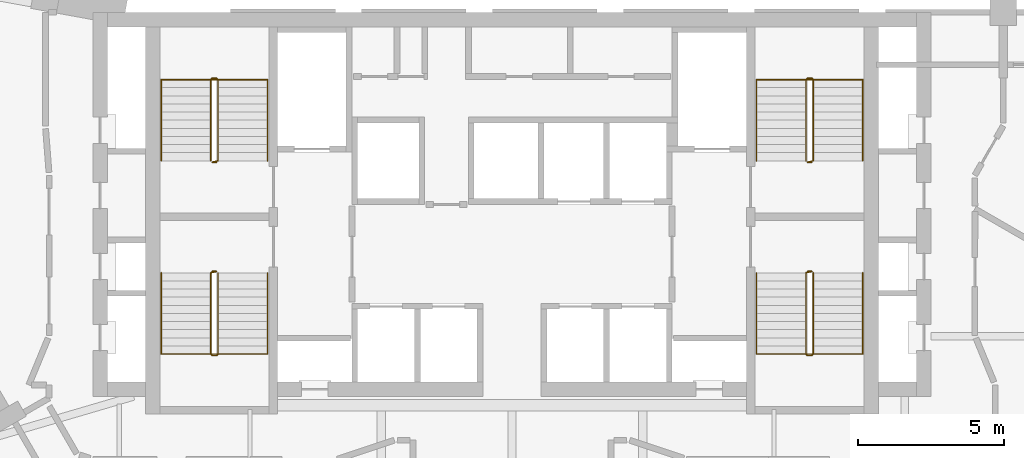
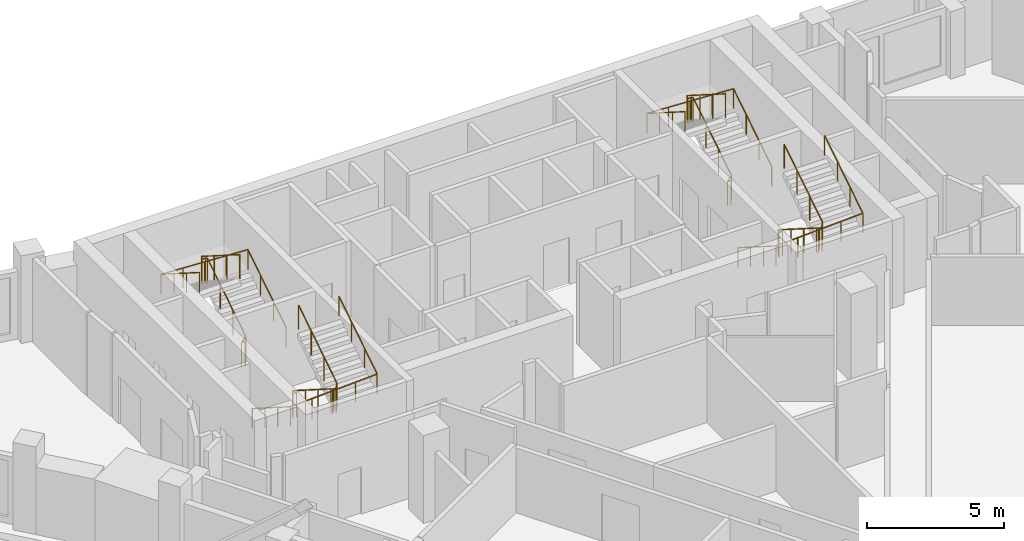
# One storey, part 9 of 9: 8 railings.
"""IFC4 building model written with IfcOpenShell, lengths in metres."""

import ifcopenshell
import ifcopenshell.guid

model = None  # the IFC model being written
_history = None  # IfcOwnerHistory: only IFC2X3 demands one
_inside = {}  # id of a spatial element -> (the spatial element, [elements in it])
_under = {}  # id of a project, library or spatial element -> (it, [spatial elements below it])
_declared = {}  # id of a project -> (the project, [libraries it declares])
_typed = {}  # id of a type object -> (the type object, [elements of that type])
_made_of = {}  # id of a material, layer set ... -> (it, [elements and type objects made of it])


def new_model(schema):
    """Start an empty IFC model of exactly this schema.

    Asked for "IFC4X3", IfcOpenShell would pick the latest addendum, in which some entities
    have other attributes; the version numbers below select the first issue.
    IFC2X3 requires an IfcOwnerHistory on every rooted entity: one is made here for all.
    """
    global model, _history
    if schema == "IFC4X3":
        model = ifcopenshell.file(schema_version=(4, 3, 0, 0))
    else:
        model = ifcopenshell.file(schema=schema)
    _inside.clear()
    _under.clear()
    _declared.clear()
    _typed.clear()
    _made_of.clear()
    _history = None
    if model.schema == "IFC2X3":
        org = make("IfcOrganization", Name="unknown")
        user = make(
            "IfcPersonAndOrganization",
            ThePerson=make("IfcPerson", FamilyName="unknown"),
            TheOrganization=org,
        )
        app = make(
            "IfcApplication",
            ApplicationDeveloper=org,
            Version="unknown",
            ApplicationFullName="unknown",
            ApplicationIdentifier="unknown",
        )
        _history = make(
            "IfcOwnerHistory",
            OwningUser=user,
            OwningApplication=app,
            ChangeAction="ADDED",
            CreationDate=0,
        )
    return model


def make(cls, **values):
    """One entity of the class cls with the attributes given. An attribute that is None is left unset."""
    return model.create_entity(
        cls, **{name: value for name, value in values.items() if value is not None}
    )


def rooted(cls, **values):
    """An entity with a GlobalId (a new one), such as an element, a storey or a relation."""
    return make(cls, GlobalId=ifcopenshell.guid.new(), OwnerHistory=_history, **values)


def si_unit(unit_type, name, prefix=None):
    """IfcSIUnit, for example si_unit("LENGTHUNIT", "METRE", prefix="MILLI")."""
    return make("IfcSIUnit", UnitType=unit_type, Prefix=prefix, Name=name)


def assignment(units):
    """IfcUnitAssignment: the units of a project."""
    return None if units is None else make("IfcUnitAssignment", Units=units)


def point(xyz):
    """IfcCartesianPoint."""
    return None if xyz is None else make("IfcCartesianPoint", Coordinates=xyz)


def direction(xyz):
    """IfcDirection."""
    return None if xyz is None else make("IfcDirection", DirectionRatios=xyz)


def frame(location, z_axis=None, x_axis=None):
    """IfcAxis2Placement3D, a coordinate frame: its origin and axes. An axis left out is left unset."""
    return make(
        "IfcAxis2Placement3D",
        Location=point(location),
        Axis=direction(z_axis),
        RefDirection=direction(x_axis),
    )


def frame_2d(location, x_axis=None):
    """IfcAxis2Placement2D, a coordinate frame in the plane: its origin and x axis."""
    return make(
        "IfcAxis2Placement2D", Location=point(location), RefDirection=direction(x_axis)
    )


def origin():
    """The frame at (0, 0, 0) with its axes left unset."""
    return frame((0.0, 0.0, 0.0))


def origin_2d():
    """The frame at (0, 0) in the plane with its x axis left unset."""
    return frame_2d((0.0, 0.0))


def place(relative_to, where):
    """IfcLocalPlacement: puts the frame where relative to a parent placement (None: the world)."""
    return make(
        "IfcLocalPlacement", PlacementRelTo=relative_to, RelativePlacement=where
    )


def context(
    kind, dimensions, precision=None, world=None, true_north=None, identifier=None
):
    """IfcGeometricRepresentationContext, for example the 3D "Model" context."""
    return make(
        "IfcGeometricRepresentationContext",
        ContextIdentifier=identifier,
        ContextType=kind,
        CoordinateSpaceDimension=dimensions,
        Precision=precision,
        WorldCoordinateSystem=world,
        TrueNorth=true_north,
    )


def subcontext(parent, identifier, kind, view, scale=None):
    """IfcGeometricRepresentationSubContext, for example "Body" below "Model"."""
    return make(
        "IfcGeometricRepresentationSubContext",
        ContextIdentifier=identifier,
        ContextType=kind,
        ParentContext=parent,
        TargetScale=scale,
        TargetView=view,
    )


def project(units=None, contexts=None):
    """IfcProject with its units and contexts."""
    return rooted(
        "IfcProject",
        Name="project",
        RepresentationContexts=contexts,
        UnitsInContext=assignment(units),
    )


def spatial(cls, under=None, at=None, **own):
    """A site, building, storey or space (cls), placed at a placement, below another one or the project."""
    s = rooted(cls, ObjectPlacement=at, **own)
    if under is not None:
        _under.setdefault(under.id(), (under, []))[1].append(s)
    return s


def profile(cls, at=None, kind="AREA", **sizes):
    """A parametric profile (cls). Its sizes go by their IFC names, for example OverallWidth=200.0."""
    return make(cls, ProfileType=kind, Position=at, **sizes)


def circle(**sizes):
    """IfcCircleProfileDef."""
    return profile("IfcCircleProfileDef", **sizes)


def extrude(swept, where, along, depth):
    """IfcExtrudedAreaSolid: the profile swept, set in the frame where, extruded along a direction by depth."""
    return make(
        "IfcExtrudedAreaSolid",
        SweptArea=swept,
        Position=where,
        ExtrudedDirection=direction(along),
        Depth=depth,
    )


def shape(context_of_items, identifier, shape_type, items):
    """IfcShapeRepresentation: the items that make up one representation, for example the "Body"."""
    return make(
        "IfcShapeRepresentation",
        ContextOfItems=context_of_items,
        RepresentationIdentifier=identifier,
        RepresentationType=shape_type,
        Items=items,
    )


def material(Name=None, Category=None):
    """IfcMaterial."""
    return make("IfcMaterial", Name=Name, Category=Category)


def made_of(thing, what):
    """Note that an element or type object is made of a material, layer set ...; save() writes the relation."""
    if what is not None:
        _made_of.setdefault(what.id(), (what, []))[1].append(thing)
    return thing


def type_object(cls, material=None, **own):
    """A type object (cls), such as IfcWallType, which elements share."""
    return made_of(rooted(cls, **own), material)


def element(
    cls,
    number,
    at=None,
    inside=None,
    cuts=None,
    type_object=None,
    material=None,
    context=None,
    identifier="Body",
    shape_type=None,
    held_by="IfcProductDefinitionShape",
    body=None,
    shapes=None,
    **own,
):
    """One element of the class cls, such as IfcWall. Its Tag is "e" and its number.

    at: its placement. inside: the storey or other place that contains it. cuts: it is an
    opening in that element (IfcRelVoidsElement). A single representation is given by context,
    identifier, shape_type and body (its items); several are given by shapes. held_by: the class
    of the entity that holds the representations. save() writes the other relations.
    """
    e = rooted(cls, Tag="e%d" % number, ObjectPlacement=at, **own)
    if body is not None:
        shapes = [shape(context, identifier, shape_type, body)]
    if shapes is not None:
        e.Representation = make(held_by, Representations=shapes)
    if inside is not None:
        _inside.setdefault(inside.id(), (inside, []))[1].append(e)
    if cuts is not None:
        rooted(
            "IfcRelVoidsElement", RelatingBuildingElement=cuts, RelatedOpeningElement=e
        )
    if type_object is not None:
        _typed.setdefault(type_object.id(), (type_object, []))[1].append(e)
    return made_of(e, material)


def aggregate(whole, parts):
    """IfcRelAggregates: a whole, such as a stair, and the parts it consists of."""
    return rooted("IfcRelAggregates", RelatingObject=whole, RelatedObjects=parts)


def save(model, path):
    """Write the relations noted so far, then the file.

    IfcRelAggregates (storeys below a building ...), IfcRelContainedInSpatialStructure (elements
    in a storey), IfcRelDefinesByType, IfcRelAssociatesMaterial and IfcRelDeclares: one each for
    every whole, place, type object, material and project.
    """
    for whole, parts in _under.values():
        aggregate(whole, parts)
    for where, things in _inside.values():
        rooted(
            "IfcRelContainedInSpatialStructure",
            RelatedElements=things,
            RelatingStructure=where,
        )
    for kind, things in _typed.values():
        rooted("IfcRelDefinesByType", RelatedObjects=things, RelatingType=kind)
    for what, things in _made_of.values():
        rooted("IfcRelAssociatesMaterial", RelatedObjects=things, RelatingMaterial=what)
    for by, libraries in _declared.values():
        rooted("IfcRelDeclares", RelatingContext=by, RelatedDefinitions=libraries)
    model.write(path)


model = new_model("IFC4")

# Units and contexts
model_context = context("Model", 3, precision=1e-05, world=origin(), true_north=direction((0.0, 1.0)))
body_context = subcontext(model_context, "Body", "Model", "MODEL_VIEW")
ifc_project = project(units=[si_unit("LENGTHUNIT", "METRE"), si_unit("AREAUNIT", "SQUARE_METRE"), si_unit("VOLUMEUNIT", "CUBIC_METRE"), si_unit("PLANEANGLEUNIT", "RADIAN"), si_unit("MASSUNIT", "GRAM", prefix="KILO")], contexts=[model_context])

# Site, building, storey
site_placement = place(None, origin())
site = spatial("IfcSite", under=ifc_project, at=site_placement, CompositionType="ELEMENT")
building_placement = place(site_placement, origin())
building = spatial("IfcBuilding", under=site, at=building_placement, Name="Calabash Gate Tower", CompositionType="ELEMENT")
storey_placement = place(building_placement, frame((0.0, 0.0, 196.39990234375)))
storey = spatial("IfcBuildingStorey", under=building, at=storey_placement, Name="L46", CompositionType="ELEMENT", Elevation=196.39990234375)

# Railings
ifc_material_1 = material(Name="Black powder-coated steel balusters", Category="steel")
railing_type_1 = type_object("IfcRailingType", Name="Stair guard RL1100", PredefinedType="GUARDRAIL", material=ifc_material_1)
railing_1_placement = place(storey_placement, frame((-10.14990234375, 13.902587890625, 0.0)))
element("IfcRailing", 1, at=railing_1_placement, inside=storey, type_object=railing_type_1, Name="L46 ST1 stair guard 1", PredefinedType="GUARDRAIL", context=body_context, shape_type="SweptSolid", body=[
    extrude(circle(Radius=0.02392578125, at=origin_2d()), frame((0.0, 0.0, 1.076171875), z_axis=(-1.0, 0.0, 0.0), x_axis=(0.0, -1.0, 0.0)), (0.0, 0.0, 1.0), 0.150146484375),
    extrude(circle(Radius=0.02392578125, at=origin_2d()), frame((-0.150146484375, 0.0, 1.076171875), z_axis=(0.735094037398, 0.183997897029, 0.652519371414), x_axis=(-0.242814311512, 0.970072785993, 0.0)), (0.0, 0.0, 1.0), 0.27197265625),
    extrude(circle(Radius=0.02392578125, at=origin_2d()), frame((0.0498046875, 0.050048828125, 1.25341796875), z_axis=(0.0, 0.844041424197, 0.536277982245), x_axis=(-1.0, 0.0, 0.0)), (0.0, 0.0, 1.0), 3.3056640625),
    extrude(circle(Radius=0.02392578125, at=origin_2d()), frame((0.0498046875, 2.840087890625, 3.0263671875), z_axis=(-0.707106781187, 0.707106781187, 0.0), x_axis=(-0.707106781187, -0.707106781187, 0.0)), (0.0, 0.0, 1.0), 0.0703125),
    extrude(circle(Radius=0.02392578125, at=origin_2d()), frame((0.0, 2.889892578125, 3.0263671875), z_axis=(-1.0, 0.0, 0.0), x_axis=(0.0, -1.0, 0.0)), (0.0, 0.0, 1.0), 0.150146484375),
    extrude(circle(Radius=0.02392578125, at=origin_2d()), frame((-0.150146484375, 2.889892578125, 3.0263671875), z_axis=(-0.262321481514, -0.261041864531, 0.929001929653), x_axis=(0.705375805398, -0.708833529934, 0.0)), (0.0, 0.0, 1.0), 0.190673828125),
    extrude(circle(Radius=0.02392578125, at=origin_2d()), frame((-0.2001953125, 2.840087890625, 3.20361328125), z_axis=(0.0, -0.844041424197, 0.536277982245), x_axis=(1.0, 0.0, 0.0)), (0.0, 0.0, 1.0), 3.3056640625),
    extrude(circle(Radius=0.02099609375, at=origin_2d()), origin(), (0.0, 0.0, 1.0), 1.052001953125),
    extrude(circle(Radius=0.02099609375, at=origin_2d()), frame((-0.150146484375, 0.0, 0.0)), (0.0, 0.0, 1.0), 1.052001953125),
    extrude(circle(Radius=0.02099609375, at=origin_2d()), frame((0.0498046875, 0.050048828125, 0.177490234375)), (0.0, 0.0, 1.0), 1.052001953125),
    extrude(circle(Radius=0.02099609375, at=origin_2d()), frame((0.0498046875, 0.97998046875, 0.768310546875)), (0.0, 0.0, 1.0), 1.052001953125),
    extrude(circle(Radius=0.02099609375, at=origin_2d()), frame((0.0498046875, 1.91015625, 1.359375)), (0.0, 0.0, 1.0), 1.052001953125),
    extrude(circle(Radius=0.02099609375, at=origin_2d()), frame((0.0498046875, 2.840087890625, 1.9501953125)), (0.0, 0.0, 1.0), 1.052001953125),
    extrude(circle(Radius=0.02099609375, at=origin_2d()), frame((0.0, 2.889892578125, 1.9501953125)), (0.0, 0.0, 1.0), 1.052001953125),
    extrude(circle(Radius=0.02099609375, at=origin_2d()), frame((-0.150146484375, 2.889892578125, 1.9501953125)), (0.0, 0.0, 1.0), 1.052001953125),
    extrude(circle(Radius=0.02099609375, at=origin_2d()), frame((-0.2001953125, 2.840087890625, 2.12744140625)), (0.0, 0.0, 1.0), 1.052001953125),
    extrude(circle(Radius=0.02099609375, at=origin_2d()), frame((-0.2001953125, 1.91015625, 2.71826171875)), (0.0, 0.0, 1.0), 1.052001953125),
    extrude(circle(Radius=0.02099609375, at=origin_2d()), frame((-0.2001953125, 0.97998046875, 3.309326171875)), (0.0, 0.0, 1.0), 1.052001953125),
    extrude(circle(Radius=0.02099609375, at=origin_2d()), frame((-0.2001953125, 0.050048828125, 3.900146484375)), (0.0, 0.0, 1.0), 1.052001953125),
])
railing_2_placement = place(storey_placement, frame((-10.300048828125, 10.152587890625, 0.0)))
element("IfcRailing", 2, at=railing_2_placement, inside=storey, type_object=railing_type_1, Name="L46 ST2 stair guard 1", PredefinedType="GUARDRAIL", context=body_context, shape_type="SweptSolid", body=[
    extrude(circle(Radius=0.02392578125, at=origin_2d()), frame((0.0, 0.0, 1.076171875), z_axis=(1.0, 0.0, 0.0), x_axis=(0.0, 1.0, 0.0)), (0.0, 0.0, 1.0), 0.150146484375),
    extrude(circle(Radius=0.02392578125, at=origin_2d()), frame((0.150146484375, 0.0, 1.076171875), z_axis=(-0.735506176693, -0.183876544173, 0.652089012751), x_axis=(0.242535625036, -0.970142500145, 0.0)), (0.0, 0.0, 1.0), 0.272216796875),
    extrude(circle(Radius=0.02392578125, at=origin_2d()), frame((-0.050048828125, -0.050048828125, 1.25341796875), z_axis=(0.0, -0.844041424197, 0.536277982245), x_axis=(1.0, 0.0, 0.0)), (0.0, 0.0, 1.0), 3.3056640625),
    extrude(circle(Radius=0.02392578125, at=origin_2d()), frame((-0.050048828125, -2.840087890625, 3.0263671875), z_axis=(0.708833529934, -0.705375805398, 0.0), x_axis=(0.705375805398, 0.708833529934, 0.0)), (0.0, 0.0, 1.0), 0.070556640625),
    extrude(circle(Radius=0.02392578125, at=origin_2d()), frame((0.0, -2.889892578125, 3.0263671875), z_axis=(1.0, 0.0, 0.0), x_axis=(0.0, 1.0, 0.0)), (0.0, 0.0, 1.0), 0.150146484375),
    extrude(circle(Radius=0.02392578125, at=origin_2d()), frame((0.150146484375, -2.889892578125, 3.0263671875), z_axis=(0.261129318932, 0.261129318932, 0.929313164433), x_axis=(-0.707106781187, 0.707106781187, 0.0)), (0.0, 0.0, 1.0), 0.190673828125),
    extrude(circle(Radius=0.02392578125, at=origin_2d()), frame((0.199951171875, -2.840087890625, 3.20361328125), z_axis=(0.0, 0.844041424197, 0.536277982245), x_axis=(-1.0, 0.0, 0.0)), (0.0, 0.0, 1.0), 3.3056640625),
    extrude(circle(Radius=0.02099609375, at=origin_2d()), origin(), (0.0, 0.0, 1.0), 1.052001953125),
    extrude(circle(Radius=0.02099609375, at=origin_2d()), frame((0.150146484375, 0.0, 0.0)), (0.0, 0.0, 1.0), 1.052001953125),
    extrude(circle(Radius=0.02099609375, at=origin_2d()), frame((-0.050048828125, -0.050048828125, 0.177490234375)), (0.0, 0.0, 1.0), 1.052001953125),
    extrude(circle(Radius=0.02099609375, at=origin_2d()), frame((-0.050048828125, -0.97998046875, 0.768310546875)), (0.0, 0.0, 1.0), 1.052001953125),
    extrude(circle(Radius=0.02099609375, at=origin_2d()), frame((-0.050048828125, -1.91015625, 1.359375)), (0.0, 0.0, 1.0), 1.052001953125),
    extrude(circle(Radius=0.02099609375, at=origin_2d()), frame((-0.050048828125, -2.840087890625, 1.9501953125)), (0.0, 0.0, 1.0), 1.052001953125),
    extrude(circle(Radius=0.02099609375, at=origin_2d()), frame((0.0, -2.889892578125, 1.9501953125)), (0.0, 0.0, 1.0), 1.052001953125),
    extrude(circle(Radius=0.02099609375, at=origin_2d()), frame((0.150146484375, -2.889892578125, 1.9501953125)), (0.0, 0.0, 1.0), 1.052001953125),
    extrude(circle(Radius=0.02099609375, at=origin_2d()), frame((0.199951171875, -2.840087890625, 2.12744140625)), (0.0, 0.0, 1.0), 1.052001953125),
    extrude(circle(Radius=0.02099609375, at=origin_2d()), frame((0.199951171875, -1.91015625, 2.71826171875)), (0.0, 0.0, 1.0), 1.052001953125),
    extrude(circle(Radius=0.02099609375, at=origin_2d()), frame((0.199951171875, -0.97998046875, 3.309326171875)), (0.0, 0.0, 1.0), 1.052001953125),
    extrude(circle(Radius=0.02099609375, at=origin_2d()), frame((0.199951171875, -0.050048828125, 3.900146484375)), (0.0, 0.0, 1.0), 1.052001953125),
])
railing_3_placement = place(storey_placement, frame((10.300048828125, 13.902587890625, 0.0)))
element("IfcRailing", 3, at=railing_3_placement, inside=storey, type_object=railing_type_1, Name="L46 ST3 stair guard 1", PredefinedType="GUARDRAIL", context=body_context, shape_type="SweptSolid", body=[
    extrude(circle(Radius=0.02392578125, at=origin_2d()), frame((0.0, 0.0, 1.076171875), z_axis=(-1.0, 0.0, 0.0), x_axis=(0.0, -1.0, 0.0)), (0.0, 0.0, 1.0), 0.150146484375),
    extrude(circle(Radius=0.02392578125, at=origin_2d()), frame((-0.150146484375, 0.0, 1.076171875), z_axis=(0.735506176693, 0.183876544173, 0.652089012751), x_axis=(-0.242535625036, 0.970142500145, 0.0)), (0.0, 0.0, 1.0), 0.272216796875),
    extrude(circle(Radius=0.02392578125, at=origin_2d()), frame((0.050048828125, 0.050048828125, 1.25341796875), z_axis=(0.0, 0.844041424197, 0.536277982245), x_axis=(-1.0, 0.0, 0.0)), (0.0, 0.0, 1.0), 3.3056640625),
    extrude(circle(Radius=0.02392578125, at=origin_2d()), frame((0.050048828125, 2.840087890625, 3.0263671875), z_axis=(-0.708833529934, 0.705375805398, 0.0), x_axis=(-0.705375805398, -0.708833529934, 0.0)), (0.0, 0.0, 1.0), 0.070556640625),
    extrude(circle(Radius=0.02392578125, at=origin_2d()), frame((0.0, 2.889892578125, 3.0263671875), z_axis=(-1.0, 0.0, 0.0), x_axis=(0.0, -1.0, 0.0)), (0.0, 0.0, 1.0), 0.150146484375),
    extrude(circle(Radius=0.02392578125, at=origin_2d()), frame((-0.150146484375, 2.889892578125, 3.0263671875), z_axis=(-0.261129318932, -0.261129318932, 0.929313164433), x_axis=(0.707106781187, -0.707106781187, 0.0)), (0.0, 0.0, 1.0), 0.190673828125),
    extrude(circle(Radius=0.02392578125, at=origin_2d()), frame((-0.199951171875, 2.840087890625, 3.20361328125), z_axis=(0.0, -0.844041424197, 0.536277982245), x_axis=(1.0, 0.0, 0.0)), (0.0, 0.0, 1.0), 3.3056640625),
    extrude(circle(Radius=0.02099609375, at=origin_2d()), origin(), (0.0, 0.0, 1.0), 1.052001953125),
    extrude(circle(Radius=0.02099609375, at=origin_2d()), frame((-0.150146484375, 0.0, 0.0)), (0.0, 0.0, 1.0), 1.052001953125),
    extrude(circle(Radius=0.02099609375, at=origin_2d()), frame((0.050048828125, 0.050048828125, 0.177490234375)), (0.0, 0.0, 1.0), 1.052001953125),
    extrude(circle(Radius=0.02099609375, at=origin_2d()), frame((0.050048828125, 0.97998046875, 0.768310546875)), (0.0, 0.0, 1.0), 1.052001953125),
    extrude(circle(Radius=0.02099609375, at=origin_2d()), frame((0.050048828125, 1.91015625, 1.359375)), (0.0, 0.0, 1.0), 1.052001953125),
    extrude(circle(Radius=0.02099609375, at=origin_2d()), frame((0.050048828125, 2.840087890625, 1.9501953125)), (0.0, 0.0, 1.0), 1.052001953125),
    extrude(circle(Radius=0.02099609375, at=origin_2d()), frame((0.0, 2.889892578125, 1.9501953125)), (0.0, 0.0, 1.0), 1.052001953125),
    extrude(circle(Radius=0.02099609375, at=origin_2d()), frame((-0.150146484375, 2.889892578125, 1.9501953125)), (0.0, 0.0, 1.0), 1.052001953125),
    extrude(circle(Radius=0.02099609375, at=origin_2d()), frame((-0.199951171875, 2.840087890625, 2.12744140625)), (0.0, 0.0, 1.0), 1.052001953125),
    extrude(circle(Radius=0.02099609375, at=origin_2d()), frame((-0.199951171875, 1.91015625, 2.71826171875)), (0.0, 0.0, 1.0), 1.052001953125),
    extrude(circle(Radius=0.02099609375, at=origin_2d()), frame((-0.199951171875, 0.97998046875, 3.309326171875)), (0.0, 0.0, 1.0), 1.052001953125),
    extrude(circle(Radius=0.02099609375, at=origin_2d()), frame((-0.199951171875, 0.050048828125, 3.900146484375)), (0.0, 0.0, 1.0), 1.052001953125),
])
railing_4_placement = place(storey_placement, frame((10.14990234375, 10.152587890625, 0.0)))
element("IfcRailing", 4, at=railing_4_placement, inside=storey, type_object=railing_type_1, Name="L46 ST4 stair guard 1", PredefinedType="GUARDRAIL", context=body_context, shape_type="SweptSolid", body=[
    extrude(circle(Radius=0.02392578125, at=origin_2d()), frame((0.0, 0.0, 1.076171875), z_axis=(1.0, 0.0, 0.0), x_axis=(0.0, 1.0, 0.0)), (0.0, 0.0, 1.0), 0.150146484375),
    extrude(circle(Radius=0.02392578125, at=origin_2d()), frame((0.150146484375, 0.0, 1.076171875), z_axis=(-0.735094037398, -0.183997897029, 0.652519371414), x_axis=(0.242814311512, -0.970072785993, 0.0)), (0.0, 0.0, 1.0), 0.27197265625),
    extrude(circle(Radius=0.02392578125, at=origin_2d()), frame((-0.0498046875, -0.050048828125, 1.25341796875), z_axis=(0.0, -0.844041424197, 0.536277982245), x_axis=(1.0, 0.0, 0.0)), (0.0, 0.0, 1.0), 3.3056640625),
    extrude(circle(Radius=0.02392578125, at=origin_2d()), frame((-0.0498046875, -2.840087890625, 3.0263671875), z_axis=(0.707106781187, -0.707106781187, 0.0), x_axis=(0.707106781187, 0.707106781187, 0.0)), (0.0, 0.0, 1.0), 0.0703125),
    extrude(circle(Radius=0.02392578125, at=origin_2d()), frame((0.0, -2.889892578125, 3.0263671875), z_axis=(1.0, 0.0, 0.0), x_axis=(0.0, 1.0, 0.0)), (0.0, 0.0, 1.0), 0.150146484375),
    extrude(circle(Radius=0.02392578125, at=origin_2d()), frame((0.150146484375, -2.889892578125, 3.0263671875), z_axis=(0.262321481514, 0.261041864531, 0.929001929653), x_axis=(-0.705375805398, 0.708833529934, 0.0)), (0.0, 0.0, 1.0), 0.190673828125),
    extrude(circle(Radius=0.02392578125, at=origin_2d()), frame((0.2001953125, -2.840087890625, 3.20361328125), z_axis=(0.0, 0.844041424197, 0.536277982245), x_axis=(-1.0, 0.0, 0.0)), (0.0, 0.0, 1.0), 3.3056640625),
    extrude(circle(Radius=0.02099609375, at=origin_2d()), origin(), (0.0, 0.0, 1.0), 1.052001953125),
    extrude(circle(Radius=0.02099609375, at=origin_2d()), frame((0.150146484375, 0.0, 0.0)), (0.0, 0.0, 1.0), 1.052001953125),
    extrude(circle(Radius=0.02099609375, at=origin_2d()), frame((-0.0498046875, -0.050048828125, 0.177490234375)), (0.0, 0.0, 1.0), 1.052001953125),
    extrude(circle(Radius=0.02099609375, at=origin_2d()), frame((-0.0498046875, -0.97998046875, 0.768310546875)), (0.0, 0.0, 1.0), 1.052001953125),
    extrude(circle(Radius=0.02099609375, at=origin_2d()), frame((-0.0498046875, -1.91015625, 1.359375)), (0.0, 0.0, 1.0), 1.052001953125),
    extrude(circle(Radius=0.02099609375, at=origin_2d()), frame((-0.0498046875, -2.840087890625, 1.9501953125)), (0.0, 0.0, 1.0), 1.052001953125),
    extrude(circle(Radius=0.02099609375, at=origin_2d()), frame((0.0, -2.889892578125, 1.9501953125)), (0.0, 0.0, 1.0), 1.052001953125),
    extrude(circle(Radius=0.02099609375, at=origin_2d()), frame((0.150146484375, -2.889892578125, 1.9501953125)), (0.0, 0.0, 1.0), 1.052001953125),
    extrude(circle(Radius=0.02099609375, at=origin_2d()), frame((0.2001953125, -2.840087890625, 2.12744140625)), (0.0, 0.0, 1.0), 1.052001953125),
    extrude(circle(Radius=0.02099609375, at=origin_2d()), frame((0.2001953125, -1.91015625, 2.71826171875)), (0.0, 0.0, 1.0), 1.052001953125),
    extrude(circle(Radius=0.02099609375, at=origin_2d()), frame((0.2001953125, -0.97998046875, 3.309326171875)), (0.0, 0.0, 1.0), 1.052001953125),
    extrude(circle(Radius=0.02099609375, at=origin_2d()), frame((0.2001953125, -0.050048828125, 3.900146484375)), (0.0, 0.0, 1.0), 1.052001953125),
])
ifc_material_2 = material(Name="Black powder-coated steel tube 48 mm", Category="steel")
railing_type_2 = type_object("IfcRailingType", Name="Stair handrail RL900", PredefinedType="HANDRAIL", material=ifc_material_2)
railing_5_placement = place(storey_placement, frame((-8.39990234375, 13.95263671875, 0.177490234375)))
element("IfcRailing", 5, at=railing_5_placement, inside=storey, type_object=railing_type_2, Name="L46 ST1 stair handrail 1", PredefinedType="HANDRAIL", context=body_context, shape_type="SweptSolid", body=[
    extrude(circle(Radius=0.02392578125, at=origin_2d()), frame((0.0, 0.0, 0.8759765625), z_axis=(0.0, 0.844041424197, 0.536277982245), x_axis=(-1.0, 0.0, 0.0)), (0.0, 0.0, 1.0), 3.3056640625),
    extrude(circle(Radius=0.02392578125, at=origin_2d()), frame((0.0, 2.7900390625, 2.6484375), z_axis=(-0.998823110844, 0.0, 0.048501476722), x_axis=(0.0, -1.0, 0.0)), (0.0, 0.0, 1.0), 3.654541015625),
    extrude(circle(Radius=0.02392578125, at=origin_2d()), frame((-3.650146484375, 2.7900390625, 2.82568359375), z_axis=(0.0, -0.844041424197, 0.536277982245), x_axis=(1.0, 0.0, 0.0)), (0.0, 0.0, 1.0), 3.3056640625),
    extrude(circle(Radius=0.02099609375, at=origin_2d()), origin(), (0.0, 0.0, 1.0), 0.851806640625),
    extrude(circle(Radius=0.02099609375, at=origin_2d()), frame((0.0, 0.929931640625, 0.5908203125)), (0.0, 0.0, 1.0), 0.851806640625),
    extrude(circle(Radius=0.02099609375, at=origin_2d()), frame((0.0, 1.860107421875, 1.181884765625)), (0.0, 0.0, 1.0), 0.851806640625),
    extrude(circle(Radius=0.02099609375, at=origin_2d()), frame((0.0, 2.7900390625, 1.772705078125)), (0.0, 0.0, 1.0), 0.851806640625),
    extrude(circle(Radius=0.02099609375, at=origin_2d()), frame((-0.91259765625, 2.7900390625, 1.81689453125)), (0.0, 0.0, 1.0), 0.851806640625),
    extrude(circle(Radius=0.02099609375, at=origin_2d()), frame((-1.8251953125, 2.7900390625, 1.861328125)), (0.0, 0.0, 1.0), 0.851806640625),
    extrude(circle(Radius=0.02099609375, at=origin_2d()), frame((-2.737548828125, 2.7900390625, 1.90576171875)), (0.0, 0.0, 1.0), 0.851806640625),
    extrude(circle(Radius=0.02099609375, at=origin_2d()), frame((-3.650146484375, 2.7900390625, 1.949951171875)), (0.0, 0.0, 1.0), 0.851806640625),
    extrude(circle(Radius=0.02099609375, at=origin_2d()), frame((-3.650146484375, 1.860107421875, 2.540771484375)), (0.0, 0.0, 1.0), 0.851806640625),
    extrude(circle(Radius=0.02099609375, at=origin_2d()), frame((-3.650146484375, 0.929931640625, 3.1318359375)), (0.0, 0.0, 1.0), 0.851806640625),
    extrude(circle(Radius=0.02099609375, at=origin_2d()), frame((-3.650146484375, 0.0, 3.72265625)), (0.0, 0.0, 1.0), 0.851806640625),
])
railing_6_placement = place(storey_placement, frame((-12.050048828125, 10.1025390625, 0.177490234375)))
element("IfcRailing", 6, at=railing_6_placement, inside=storey, type_object=railing_type_2, Name="L46 ST2 stair handrail 1", PredefinedType="HANDRAIL", context=body_context, shape_type="SweptSolid", body=[
    extrude(circle(Radius=0.02392578125, at=origin_2d()), frame((0.0, 0.0, 0.8759765625), z_axis=(0.0, -0.844041424197, 0.536277982245), x_axis=(1.0, 0.0, 0.0)), (0.0, 0.0, 1.0), 3.3056640625),
    extrude(circle(Radius=0.02392578125, at=origin_2d()), frame((0.0, -2.7900390625, 2.6484375), z_axis=(0.998823110844, 0.0, 0.048501476722), x_axis=(0.0, 1.0, 0.0)), (0.0, 0.0, 1.0), 3.654541015625),
    extrude(circle(Radius=0.02392578125, at=origin_2d()), frame((3.650146484375, -2.7900390625, 2.82568359375), z_axis=(0.0, 0.844041424197, 0.536277982245), x_axis=(-1.0, 0.0, 0.0)), (0.0, 0.0, 1.0), 3.3056640625),
    extrude(circle(Radius=0.02099609375, at=origin_2d()), origin(), (0.0, 0.0, 1.0), 0.851806640625),
    extrude(circle(Radius=0.02099609375, at=origin_2d()), frame((0.0, -0.929931640625, 0.5908203125)), (0.0, 0.0, 1.0), 0.851806640625),
    extrude(circle(Radius=0.02099609375, at=origin_2d()), frame((0.0, -1.860107421875, 1.181884765625)), (0.0, 0.0, 1.0), 0.851806640625),
    extrude(circle(Radius=0.02099609375, at=origin_2d()), frame((0.0, -2.7900390625, 1.772705078125)), (0.0, 0.0, 1.0), 0.851806640625),
    extrude(circle(Radius=0.02099609375, at=origin_2d()), frame((0.91259765625, -2.7900390625, 1.81689453125)), (0.0, 0.0, 1.0), 0.851806640625),
    extrude(circle(Radius=0.02099609375, at=origin_2d()), frame((1.8251953125, -2.7900390625, 1.861328125)), (0.0, 0.0, 1.0), 0.851806640625),
    extrude(circle(Radius=0.02099609375, at=origin_2d()), frame((2.737548828125, -2.7900390625, 1.90576171875)), (0.0, 0.0, 1.0), 0.851806640625),
    extrude(circle(Radius=0.02099609375, at=origin_2d()), frame((3.650146484375, -2.7900390625, 1.949951171875)), (0.0, 0.0, 1.0), 0.851806640625),
    extrude(circle(Radius=0.02099609375, at=origin_2d()), frame((3.650146484375, -1.860107421875, 2.540771484375)), (0.0, 0.0, 1.0), 0.851806640625),
    extrude(circle(Radius=0.02099609375, at=origin_2d()), frame((3.650146484375, -0.929931640625, 3.1318359375)), (0.0, 0.0, 1.0), 0.851806640625),
    extrude(circle(Radius=0.02099609375, at=origin_2d()), frame((3.650146484375, 0.0, 3.72265625)), (0.0, 0.0, 1.0), 0.851806640625),
])
railing_7_placement = place(storey_placement, frame((12.050048828125, 13.95263671875, 0.177490234375)))
element("IfcRailing", 7, at=railing_7_placement, inside=storey, type_object=railing_type_2, Name="L46 ST3 stair handrail 1", PredefinedType="HANDRAIL", context=body_context, shape_type="SweptSolid", body=[
    extrude(circle(Radius=0.02392578125, at=origin_2d()), frame((0.0, 0.0, 0.8759765625), z_axis=(0.0, 0.844041424197, 0.536277982245), x_axis=(-1.0, 0.0, 0.0)), (0.0, 0.0, 1.0), 3.3056640625),
    extrude(circle(Radius=0.02392578125, at=origin_2d()), frame((0.0, 2.7900390625, 2.6484375), z_axis=(-0.998823110844, 0.0, 0.048501476722), x_axis=(0.0, -1.0, 0.0)), (0.0, 0.0, 1.0), 3.654541015625),
    extrude(circle(Radius=0.02392578125, at=origin_2d()), frame((-3.650146484375, 2.7900390625, 2.82568359375), z_axis=(0.0, -0.844041424197, 0.536277982245), x_axis=(1.0, 0.0, 0.0)), (0.0, 0.0, 1.0), 3.3056640625),
    extrude(circle(Radius=0.02099609375, at=origin_2d()), origin(), (0.0, 0.0, 1.0), 0.851806640625),
    extrude(circle(Radius=0.02099609375, at=origin_2d()), frame((0.0, 0.929931640625, 0.5908203125)), (0.0, 0.0, 1.0), 0.851806640625),
    extrude(circle(Radius=0.02099609375, at=origin_2d()), frame((0.0, 1.860107421875, 1.181884765625)), (0.0, 0.0, 1.0), 0.851806640625),
    extrude(circle(Radius=0.02099609375, at=origin_2d()), frame((0.0, 2.7900390625, 1.772705078125)), (0.0, 0.0, 1.0), 0.851806640625),
    extrude(circle(Radius=0.02099609375, at=origin_2d()), frame((-0.91259765625, 2.7900390625, 1.81689453125)), (0.0, 0.0, 1.0), 0.851806640625),
    extrude(circle(Radius=0.02099609375, at=origin_2d()), frame((-1.8251953125, 2.7900390625, 1.861328125)), (0.0, 0.0, 1.0), 0.851806640625),
    extrude(circle(Radius=0.02099609375, at=origin_2d()), frame((-2.737548828125, 2.7900390625, 1.90576171875)), (0.0, 0.0, 1.0), 0.851806640625),
    extrude(circle(Radius=0.02099609375, at=origin_2d()), frame((-3.650146484375, 2.7900390625, 1.949951171875)), (0.0, 0.0, 1.0), 0.851806640625),
    extrude(circle(Radius=0.02099609375, at=origin_2d()), frame((-3.650146484375, 1.860107421875, 2.540771484375)), (0.0, 0.0, 1.0), 0.851806640625),
    extrude(circle(Radius=0.02099609375, at=origin_2d()), frame((-3.650146484375, 0.929931640625, 3.1318359375)), (0.0, 0.0, 1.0), 0.851806640625),
    extrude(circle(Radius=0.02099609375, at=origin_2d()), frame((-3.650146484375, 0.0, 3.72265625)), (0.0, 0.0, 1.0), 0.851806640625),
])
railing_8_placement = place(storey_placement, frame((8.39990234375, 10.1025390625, 0.177490234375)))
element("IfcRailing", 8, at=railing_8_placement, inside=storey, type_object=railing_type_2, Name="L46 ST4 stair handrail 1", PredefinedType="HANDRAIL", context=body_context, shape_type="SweptSolid", body=[
    extrude(circle(Radius=0.02392578125, at=origin_2d()), frame((0.0, 0.0, 0.8759765625), z_axis=(0.0, -0.844041424197, 0.536277982245), x_axis=(1.0, 0.0, 0.0)), (0.0, 0.0, 1.0), 3.3056640625),
    extrude(circle(Radius=0.02392578125, at=origin_2d()), frame((0.0, -2.7900390625, 2.6484375), z_axis=(0.998823110844, 0.0, 0.048501476722), x_axis=(0.0, 1.0, 0.0)), (0.0, 0.0, 1.0), 3.654541015625),
    extrude(circle(Radius=0.02392578125, at=origin_2d()), frame((3.650146484375, -2.7900390625, 2.82568359375), z_axis=(0.0, 0.844041424197, 0.536277982245), x_axis=(-1.0, 0.0, 0.0)), (0.0, 0.0, 1.0), 3.3056640625),
    extrude(circle(Radius=0.02099609375, at=origin_2d()), origin(), (0.0, 0.0, 1.0), 0.851806640625),
    extrude(circle(Radius=0.02099609375, at=origin_2d()), frame((0.0, -0.929931640625, 0.5908203125)), (0.0, 0.0, 1.0), 0.851806640625),
    extrude(circle(Radius=0.02099609375, at=origin_2d()), frame((0.0, -1.860107421875, 1.181884765625)), (0.0, 0.0, 1.0), 0.851806640625),
    extrude(circle(Radius=0.02099609375, at=origin_2d()), frame((0.0, -2.7900390625, 1.772705078125)), (0.0, 0.0, 1.0), 0.851806640625),
    extrude(circle(Radius=0.02099609375, at=origin_2d()), frame((0.91259765625, -2.7900390625, 1.81689453125)), (0.0, 0.0, 1.0), 0.851806640625),
    extrude(circle(Radius=0.02099609375, at=origin_2d()), frame((1.8251953125, -2.7900390625, 1.861328125)), (0.0, 0.0, 1.0), 0.851806640625),
    extrude(circle(Radius=0.02099609375, at=origin_2d()), frame((2.737548828125, -2.7900390625, 1.90576171875)), (0.0, 0.0, 1.0), 0.851806640625),
    extrude(circle(Radius=0.02099609375, at=origin_2d()), frame((3.650146484375, -2.7900390625, 1.949951171875)), (0.0, 0.0, 1.0), 0.851806640625),
    extrude(circle(Radius=0.02099609375, at=origin_2d()), frame((3.650146484375, -1.860107421875, 2.540771484375)), (0.0, 0.0, 1.0), 0.851806640625),
    extrude(circle(Radius=0.02099609375, at=origin_2d()), frame((3.650146484375, -0.929931640625, 3.1318359375)), (0.0, 0.0, 1.0), 0.851806640625),
    extrude(circle(Radius=0.02099609375, at=origin_2d()), frame((3.650146484375, 0.0, 3.72265625)), (0.0, 0.0, 1.0), 0.851806640625),
])

save(model, "model.ifc")
